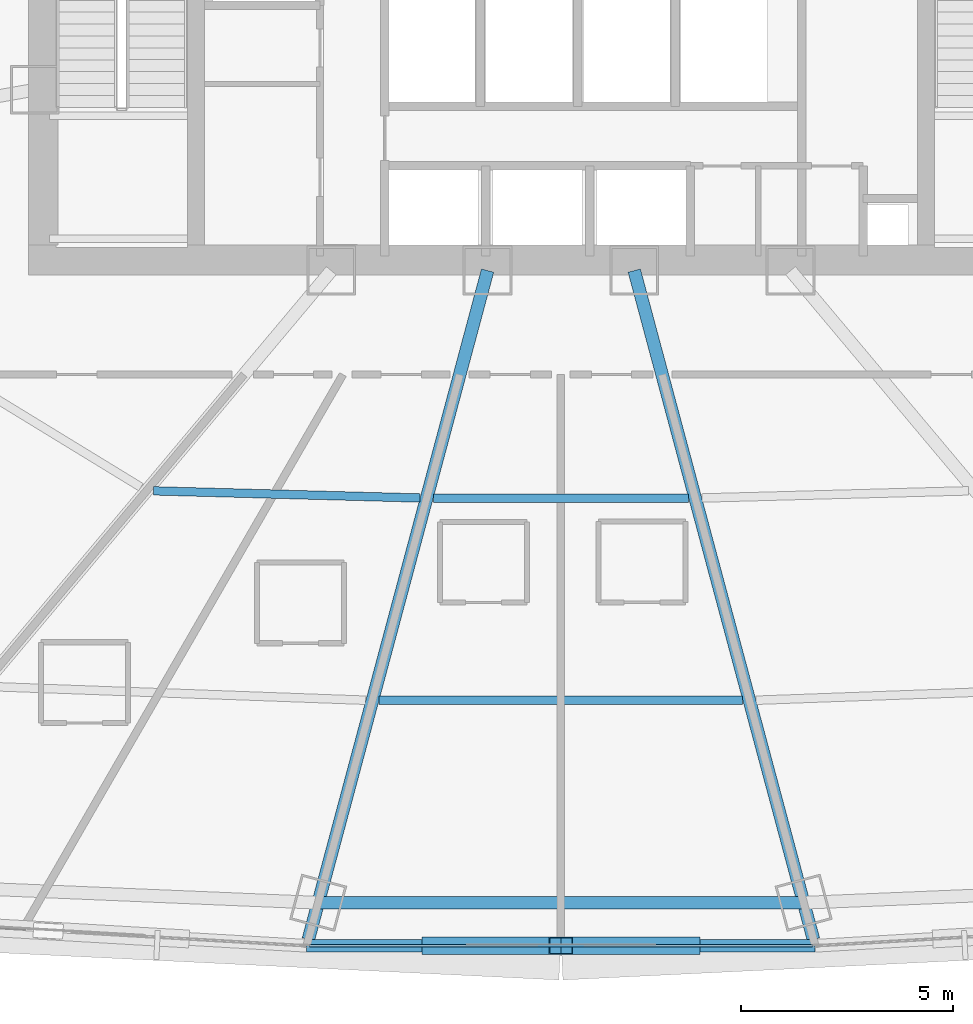
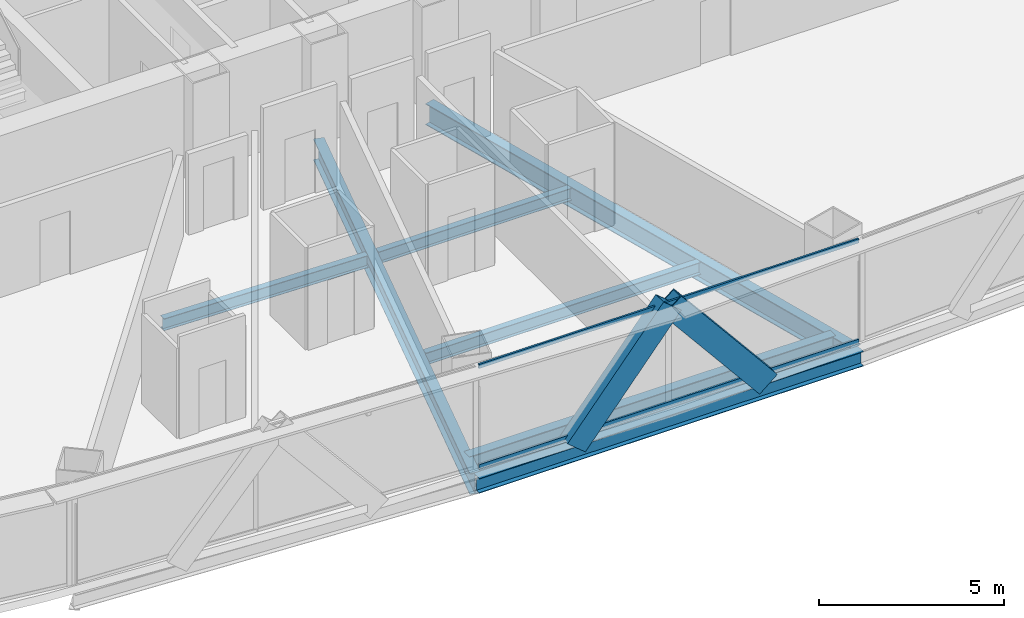
# One storey, part 9 of 40: 7 beams, 4 members, 1 element without a shape of its own.
"""IFC4 building model written with IfcOpenShell, lengths in metres."""

from ifc_helpers import new_model, si_unit, direction, frame, origin, origin_2d, place, context, subcontext, project, spatial, hollow_rectangle, i_section, extrude, source, transform, mapped, material, layer, layer_set, material_profile, profile_set, type_object, element, aggregate, save


model = new_model("IFC4")

# Units and contexts
model_context = context("Model", 3, precision=1e-05, world=origin(), true_north=direction((0.0, 1.0)))
body_context = subcontext(model_context, "Body", "Model", "MODEL_VIEW")
ifc_project = project(units=[si_unit("LENGTHUNIT", "METRE"), si_unit("AREAUNIT", "SQUARE_METRE"), si_unit("VOLUMEUNIT", "CUBIC_METRE"), si_unit("PLANEANGLEUNIT", "RADIAN"), si_unit("MASSUNIT", "GRAM", prefix="KILO"), si_unit("THERMODYNAMICTEMPERATUREUNIT", "KELVIN"), si_unit("POWERUNIT", "WATT")], contexts=[model_context])

# Site, building, storey
site_placement = place(None, origin())
site = spatial("IfcSite", under=ifc_project, at=site_placement, CompositionType="ELEMENT")
building_placement = place(site_placement, origin())
building = spatial("IfcBuilding", under=site, at=building_placement, Name="Yunzhuo Pagoda Commons", CompositionType="ELEMENT")
storey_placement = place(building_placement, frame((0.0, 0.0, 66.699951171875)))
storey = spatial("IfcBuildingStorey", under=building, at=storey_placement, Name="L17", CompositionType="ELEMENT", Elevation=66.699951171875)

# Beams
ifc_material_1 = material(Name="Structural steel Q355B", Category="steel")
ifc_material_profile_1 = material_profile(ifc_material_1, i_section(OverallWidth=0.300048828125, OverallDepth=0.699951171875, WebThickness=0.012939453125, FlangeThickness=0.02392578125, at=origin_2d()), Name="Structural steel Q355B")
ifc_profile_set_1 = profile_set([ifc_material_profile_1], Name="Structural steel Q355B")
beam_type_1 = type_object("IfcBeamType", Name="B-RG1 Beam HN 700x300x13x24", PredefinedType="BEAM", material=ifc_profile_set_1)
shared_shape_1 = source(origin(), body_context, "Body", "SweptSolid", [
    extrude(i_section(OverallWidth=0.300048828125, OverallDepth=0.699951171875, WebThickness=0.012939453125, FlangeThickness=0.02392578125, at=origin_2d()), origin(), (0.0, 0.0, 1.0), 11.4404296875),
])
beam_1_placement = place(storey_placement, frame((42.27978515625, 12.35205078125, -0.60986328125), z_axis=(1.0, 0.0, 0.0), x_axis=(0.0, 1.0, 0.0)))
element("IfcBeam", 1, at=beam_1_placement, inside=storey, type_object=beam_type_1, Name="L17 column-ring beam 2", PredefinedType="BEAM", context=body_context, shape_type="MappedRepresentation", body=[
    mapped(shared_shape_1, transform((0.0, 0.0, 0.0), scale=1.0)),
])
ifc_material_profile_2 = material_profile(ifc_material_1, i_section(OverallWidth=0.199951171875, OverallDepth=0.39990234375, WebThickness=0.008056640625, FlangeThickness=0.012939453125, at=origin_2d()), Name="Structural steel Q355B")
ifc_profile_set_2 = profile_set([ifc_material_profile_2], Name="Structural steel Q355B")
beam_type_2 = type_object("IfcBeamType", Name="B-JS1 Joist HN 400x200x8x13", PredefinedType="JOIST", material=ifc_profile_set_2)
shared_shape_2 = source(origin(), body_context, "Body", "SweptSolid", [
    extrude(i_section(OverallWidth=0.199951171875, OverallDepth=0.39990234375, WebThickness=0.008056640625, FlangeThickness=0.012939453125, at=origin_2d()), origin(), (0.0, 0.0, 1.0), 6.28271484375),
])
beam_2_placement = place(storey_placement, frame((38.395263671875, 22.06005859375, -0.4599609375), z_axis=(0.999638393847, -0.026890175648, 0.0), x_axis=(0.026890175648, 0.999638393847, 0.0)))
element("IfcBeam", 2, at=beam_2_placement, inside=storey, type_object=beam_type_2, Name="L17 composite ring joist 1.1", PredefinedType="JOIST", context=body_context, shape_type="MappedRepresentation", body=[
    mapped(shared_shape_2, transform((0.0, 0.0, 0.0), scale=1.0)),
])
shared_shape_3 = source(origin(), body_context, "Body", "SweptSolid", [
    extrude(i_section(OverallWidth=0.199951171875, OverallDepth=0.39990234375, WebThickness=0.008056640625, FlangeThickness=0.012939453125, at=origin_2d()), origin(), (0.0, 0.0, 1.0), 6.0126953125),
])
beam_3_placement = place(storey_placement, frame((44.99365234375, 21.88671875, -0.4599609375), z_axis=(1.0, 0.0, 0.0), x_axis=(0.0, 1.0, 0.0)))
element("IfcBeam", 3, at=beam_3_placement, inside=storey, type_object=beam_type_2, Name="L17 composite ring joist 1.2", PredefinedType="JOIST", context=body_context, shape_type="MappedRepresentation", body=[
    mapped(shared_shape_3, transform((0.0, 0.0, 0.0), scale=1.0)),
])
shared_shape_4 = source(origin(), body_context, "Body", "SweptSolid", [
    extrude(i_section(OverallWidth=0.199951171875, OverallDepth=0.39990234375, WebThickness=0.008056640625, FlangeThickness=0.012939453125, at=origin_2d()), origin(), (0.0, 0.0, 1.0), 8.5673828125),
])
beam_4_placement = place(storey_placement, frame((43.71630859375, 17.119384765625, -0.4599609375), z_axis=(1.0, 0.0, 0.0), x_axis=(0.0, 1.0, 0.0)))
element("IfcBeam", 4, at=beam_4_placement, inside=storey, type_object=beam_type_2, Name="L17 composite ring joist 2.2", PredefinedType="JOIST", context=body_context, shape_type="MappedRepresentation", body=[
    mapped(shared_shape_4, transform((0.0, 0.0, 0.0), scale=1.0)),
])
shared_shape_5 = source(origin(), body_context, "Body", "SweptSolid", [
    extrude(i_section(OverallWidth=0.300048828125, OverallDepth=0.699951171875, WebThickness=0.012939453125, FlangeThickness=0.02392578125, at=origin_2d()), origin(), (0.0, 0.0, 1.0), 16.318603515625),
])
beam_5_placement = place(storey_placement, frame((42.048095703125, 11.487548828125, -0.60986328125), z_axis=(0.258838535444, 0.965920603657, 0.0), x_axis=(-0.965920603657, 0.258838535444, 0.0)))
element("IfcBeam", 5, at=beam_5_placement, inside=storey, type_object=beam_type_1, Name="L17 radial floor girder F1C2", PredefinedType="BEAM", context=body_context, shape_type="MappedRepresentation", body=[
    mapped(shared_shape_5, transform((0.0, 0.0, 0.0), scale=1.0)),
])
shared_shape_6 = source(origin(), body_context, "Body", "SweptSolid", [
    extrude(i_section(OverallWidth=0.300048828125, OverallDepth=0.699951171875, WebThickness=0.012939453125, FlangeThickness=0.02392578125, at=origin_2d()), origin(), (0.0, 0.0, 1.0), 16.318359375),
])
beam_6_placement = place(storey_placement, frame((53.951904296875, 11.487548828125, -0.60986328125), z_axis=(-0.258810618002, 0.965928084285, 0.0), x_axis=(-0.965928084285, -0.258810618002, 0.0)))
element("IfcBeam", 6, at=beam_6_placement, inside=storey, type_object=beam_type_1, Name="L17 radial floor girder F1C3", PredefinedType="BEAM", context=body_context, shape_type="MappedRepresentation", body=[
    mapped(shared_shape_6, transform((0.0, 0.0, 0.0), scale=1.0)),
])
ifc_material_profile_3 = material_profile(ifc_material_1, i_section(OverallWidth=0.300048828125, OverallDepth=0.488037109375, WebThickness=0.010986328125, FlangeThickness=0.01806640625, at=origin_2d()), Name="Structural steel Q355B")
ifc_profile_set_3 = profile_set([ifc_material_profile_3], Name="Structural steel Q355B")
beam_type_3 = type_object("IfcBeamType", Name="B-SP1 Beam HM 488x300x11x18", PredefinedType="BEAM", material=ifc_profile_set_3)
shared_shape_7 = source(origin(), body_context, "Body", "SweptSolid", [
    extrude(i_section(OverallWidth=0.300048828125, OverallDepth=0.488037109375, WebThickness=0.010986328125, FlangeThickness=0.01806640625, at=origin_2d()), origin(), (0.0, 0.0, 1.0), 11.98388671875),
])
beam_7_placement = place(storey_placement, frame((42.008056640625, 11.337890625, -0.50390625), z_axis=(1.0, 0.0, 0.0), x_axis=(0.0, 1.0, 0.0)))
element("IfcBeam", 7, at=beam_7_placement, inside=storey, type_object=beam_type_3, Name="L17 facade edge spandrel beam F1.2", PredefinedType="BEAM", context=body_context, shape_type="MappedRepresentation", body=[
    mapped(shared_shape_7, transform((0.0, 0.0, 0.0), scale=1.0)),
])

# Members
ifc_material_2 = material(Name="Structural steel Q420B", Category="steel")
ifc_material_profile_4 = material_profile(ifc_material_2, hollow_rectangle(XDim=0.419921875, YDim=0.719970703125, WallThickness=0.028076171875, at=origin_2d()), Name="Structural steel Q420B")
ifc_profile_set_4 = profile_set([ifc_material_profile_4], Name="Structural steel Q420B")
member_type_1 = type_object("IfcMemberType", Name="M-DL1 Brace BOX 720x420x28", PredefinedType="BRACE", material=ifc_profile_set_4)
shared_shape_8 = source(origin(), body_context, "Body", "SweptSolid", [
    extrude(hollow_rectangle(XDim=0.419921875, YDim=0.719970703125, WallThickness=0.028076171875, at=origin_2d()), origin(), (0.0, 0.0, 1.0), 4.706787109375),
])
for number, where, z_axis, x_axis, name in (
    (8, (45.00390625, 11.337890625, -0.260009765625), (0.636539571799, 0.0, 0.771244042787), (0.0, 1.0, 0.0), "L17 facade diamond brace F1.2L"),
    (9, (50.99609375, 11.337890625, -0.260009765625), (-0.636539571799, 0.0, 0.771244042787), (0.0, -1.0, 0.0), "L17 facade diamond brace F1.2R"),
):
    element("IfcMember", number, at=place(storey_placement, frame(where, z_axis=z_axis, x_axis=x_axis)), inside=storey, type_object=member_type_1, Name=name, PredefinedType="BRACE", context=body_context, shape_type="MappedRepresentation", body=[
        mapped(shared_shape_8, transform((0.0, 0.0, 0.0), scale=1.0)),
    ])

# Curtain wall, members
ifc_material_3 = material(Name="Anodized aluminium 6063-T6", Category="aluminium")
ifc_layer = layer(ifc_material_3, 0.1650390625)
ifc_layer_set = layer_set([ifc_layer], Name="Anodized aluminium 6063-T6")
curtain_wall_type = type_object("IfcCurtainWallType", Name="CW-LOW Low-Zone Ribbon Curtain Wall", PredefinedType="NOTDEFINED", material=ifc_layer_set)
curtain_wall_placement = place(storey_placement, origin())
curtain_wall = element("IfcCurtainWall", 10, at=curtain_wall_placement, inside=storey, type_object=curtain_wall_type, Name="L17 curtain wall CW-L17-F1B3", PredefinedType="NOTDEFINED")
ifc_material_profile_5 = material_profile(ifc_material_3, hollow_rectangle(XDim=0.06005859375, YDim=0.139892578125, WallThickness=0.00341796875, at=origin_2d()), Name="Anodized aluminium 6063-T6")
ifc_profile_set_5 = profile_set([ifc_material_profile_5], Name="Anodized aluminium 6063-T6")
member_type_2 = type_object("IfcMemberType", Name="CW-LOW-T Transom RHS 140x60x3.5", PredefinedType="USERDEFINED", material=ifc_profile_set_5)
shared_shape_9 = source(origin(), body_context, "Body", "SweptSolid", [
    extrude(hollow_rectangle(XDim=0.06005859375, YDim=0.139892578125, WallThickness=0.00341796875, at=origin_2d()), origin(), (0.0, 0.0, 1.0), 11.85400390625),
])
member_1_placement = place(storey_placement, frame((42.072998046875, 11.337890625, 0.0302734375), z_axis=(1.0, 0.0, 0.0), x_axis=(0.0, 1.0, 0.0)))
member_1 = element("IfcMember", 11, at=member_1_placement, type_object=member_type_2, Name="CW transom 1.1", ObjectType="TRANSOM", PredefinedType="USERDEFINED", context=body_context, shape_type="MappedRepresentation", body=[
    mapped(shared_shape_9, transform((0.0, 0.0, 0.0), scale=1.0)),
])
member_2_placement = place(storey_placement, frame((42.072998046875, 11.337890625, 3.340087890625), z_axis=(1.0, 0.0, 0.0), x_axis=(0.0, 1.0, 0.0)))
member_2 = element("IfcMember", 12, at=member_2_placement, type_object=member_type_2, Name="CW transom 1.2", ObjectType="TRANSOM", PredefinedType="USERDEFINED", context=body_context, shape_type="MappedRepresentation", body=[
    mapped(shared_shape_9, transform((0.0, 0.0, 0.0), scale=1.0)),
])
aggregate(curtain_wall, [member_1, member_2])

save(model, "model.ifc")
